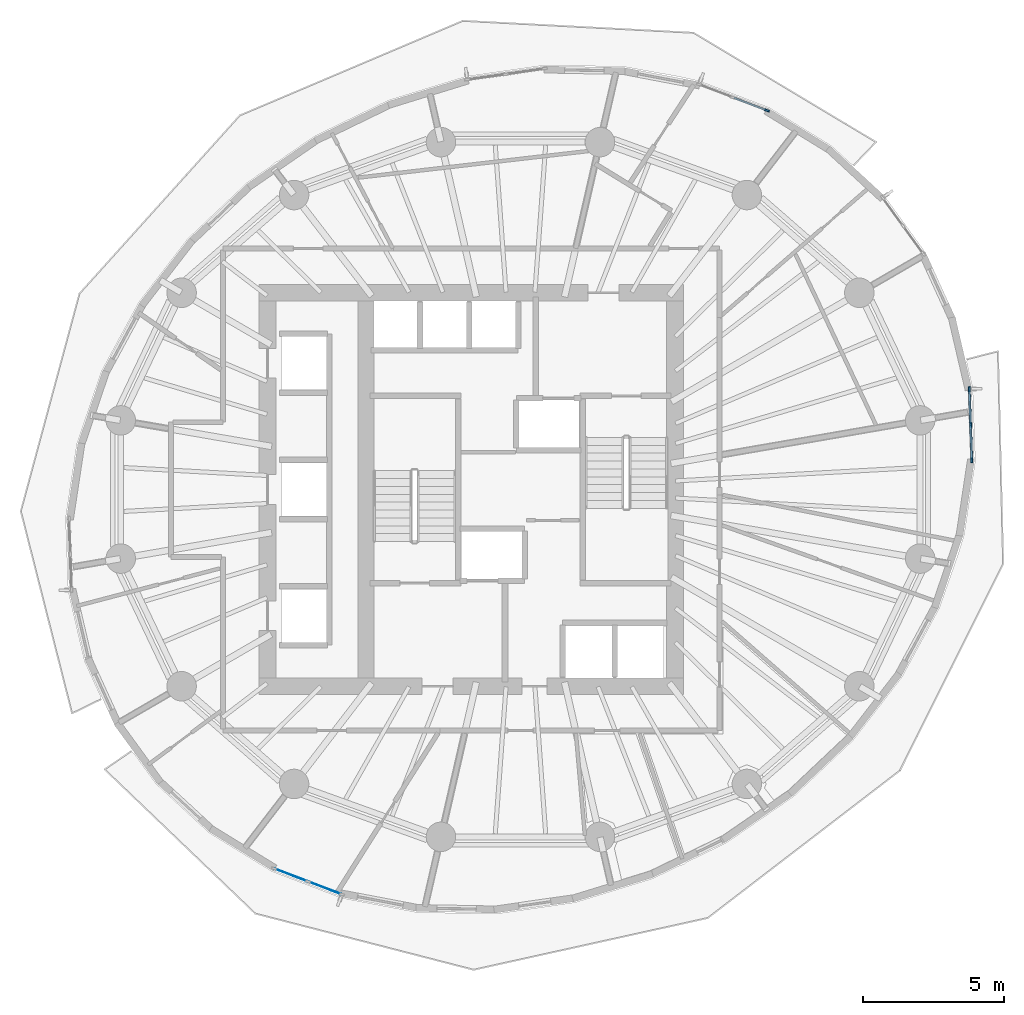
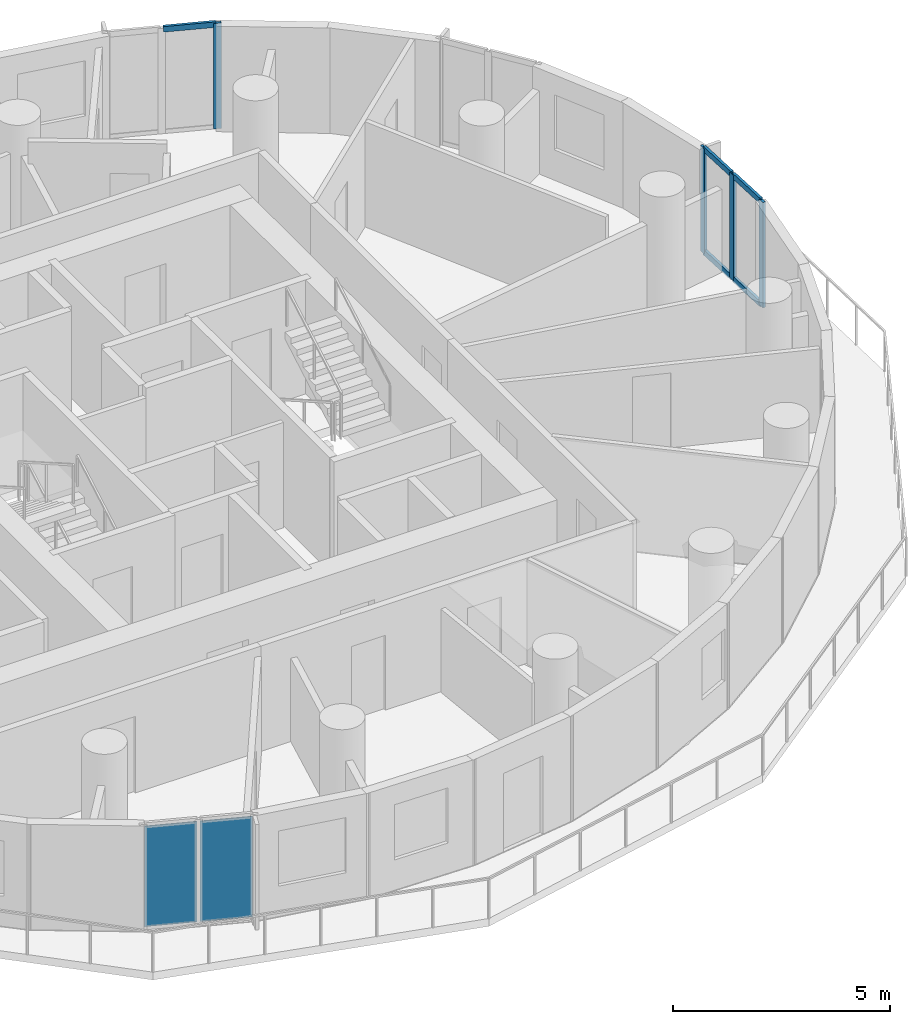
# One storey, part 4 of 14: 9 members, 2 plates, 3 elements without a shape of their own.
"""IFC4 building model written with IfcOpenShell, lengths in metres."""

from ifc_helpers import new_model, si_unit, direction, frame, origin, origin_2d, place, context, subcontext, project, spatial, rectangle, extrude, material, layer, layer_set, material_profile, profile_set, type_object, element, aggregate, save


model = new_model("IFC4")

# Units and contexts
model_context = context("Model", 3, precision=1e-05, world=origin(), true_north=direction((0.0, 1.0)))
body_context = subcontext(model_context, "Body", "Model", "MODEL_VIEW")
ifc_project = project(units=[si_unit("LENGTHUNIT", "METRE"), si_unit("AREAUNIT", "SQUARE_METRE"), si_unit("VOLUMEUNIT", "CUBIC_METRE"), si_unit("PLANEANGLEUNIT", "RADIAN"), si_unit("MASSUNIT", "GRAM", prefix="KILO")], contexts=[model_context])

# Site, building, storey
site_placement = place(None, origin())
site = spatial("IfcSite", under=ifc_project, at=site_placement, CompositionType="ELEMENT")
building_placement = place(site_placement, origin())
building = spatial("IfcBuilding", under=site, at=building_placement, Name="Veldorim Arch Residences", CompositionType="ELEMENT")
storey_placement = place(building_placement, frame((0.0, 0.0, 123.360107421875)))
storey = spatial("IfcBuildingStorey", under=building, at=storey_placement, Name="L36", CompositionType="ELEMENT", Elevation=123.360107421875)

# Curtain wall, member
ifc_material_1 = material(Name="Aluminium", Category="aluminium")
curtain_wall_type = type_object("IfcCurtainWallType", Name="Zone 3 High-Wind Unitised Curtain Wall", PredefinedType="NOTDEFINED", material=ifc_material_1)
curtain_wall_1_placement = place(storey_placement, origin())
curtain_wall_1 = element("IfcCurtainWall", 1, at=curtain_wall_1_placement, inside=storey, type_object=curtain_wall_type, Name="L36 unitised curtain wall bay 04", PredefinedType="NOTDEFINED")
ifc_material_2 = material(Name="Aluminium", Category="aluminium")
ifc_material_profile_1 = material_profile(ifc_material_2, rectangle(XDim=0.070068359375, YDim=0.179931640625, at=origin_2d()), Name="ALU_MUL_70x180")
ifc_profile_set_1 = profile_set([ifc_material_profile_1], Name="Aluminium")
member_type_1 = type_object("IfcMemberType", Name="Zone 3 High-Wind Unitised Curtain Wall Mullion 70x180", PredefinedType="MULLION", material=ifc_profile_set_1)
member_1_placement = place(storey_placement, frame((40.7734375, 37.484130859375, 0.0), z_axis=(0.0, 0.0, 1.0), x_axis=(0.356987085335, 0.934109319568, 0.0)))
member_1 = element("IfcMember", 2, at=member_1_placement, type_object=member_type_1, Name="CW-Z3 mullion 3", PredefinedType="MULLION", context=body_context, shape_type="SweptSolid", body=[
    extrude(rectangle(XDim=0.070068359375, YDim=0.179931640625, at=origin_2d()), origin(), (0.0, 0.0, 1.0), 2.9599609375),
])

# Curtain wall, members
curtain_wall_2_placement = place(storey_placement, origin())
curtain_wall_2 = element("IfcCurtainWall", 3, at=curtain_wall_2_placement, inside=storey, type_object=curtain_wall_type, Name="L36 unitised curtain wall bay 34", PredefinedType="NOTDEFINED")
member_2_placement = place(storey_placement, frame((47.9697265625, 27.57470703125, 0.0), z_axis=(0.0, 0.0, 1.0), x_axis=(0.999369736243, 0.035498313784, 0.0)))
member_2 = element("IfcMember", 4, at=member_2_placement, type_object=member_type_1, Name="CW-Z3 mullion 1", PredefinedType="MULLION", context=body_context, shape_type="SweptSolid", body=[
    extrude(rectangle(XDim=0.070068359375, YDim=0.179931640625, at=origin_2d()), origin(), (0.0, 0.0, 1.0), 2.9599609375),
])
member_3_placement = place(storey_placement, frame((48.014892578125, 26.30908203125, 0.0), z_axis=(0.0, 0.0, 1.0), x_axis=(0.999369736243, 0.035498313784, 0.0)))
member_3 = element("IfcMember", 5, at=member_3_placement, type_object=member_type_1, Name="CW-Z3 mullion 2", PredefinedType="MULLION", context=body_context, shape_type="SweptSolid", body=[
    extrude(rectangle(XDim=0.070068359375, YDim=0.179931640625, at=origin_2d()), origin(), (0.0, 0.0, 1.0), 2.9599609375),
])
member_4_placement = place(storey_placement, frame((48.059814453125, 25.04345703125, 0.0), z_axis=(0.0, 0.0, 1.0), x_axis=(0.999369736243, 0.035498313784, 0.0)))
member_4 = element("IfcMember", 6, at=member_4_placement, type_object=member_type_1, Name="CW-Z3 mullion 3", PredefinedType="MULLION", context=body_context, shape_type="SweptSolid", body=[
    extrude(rectangle(XDim=0.070068359375, YDim=0.179931640625, at=origin_2d()), origin(), (0.0, 0.0, 1.0), 2.9599609375),
])

# Member
ifc_material_3 = material(Name="Aluminium", Category="aluminium")
ifc_material_profile_2 = material_profile(ifc_material_3, rectangle(XDim=0.070068359375, YDim=0.155029296875, at=origin_2d()), Name="ALU_TRN_70x155")
ifc_profile_set_2 = profile_set([ifc_material_profile_2], Name="Aluminium")
member_type_2 = type_object("IfcMemberType", Name="Zone 3 High-Wind Unitised Curtain Wall Transom 70x155", PredefinedType="USERDEFINED", material=ifc_profile_set_2)
member_5_placement = place(storey_placement, frame((39.595703125, 37.934326171875, 2.9248046875), z_axis=(0.934067466256, -0.357096581449, 0.0), x_axis=(0.357096581449, 0.934067466256, 0.0)))
member_5 = element("IfcMember", 7, at=member_5_placement, type_object=member_type_2, Name="CW-Z3 transom 2.2", ObjectType="TRANSOM", PredefinedType="USERDEFINED", context=body_context, shape_type="SweptSolid", body=[
    extrude(rectangle(XDim=0.070068359375, YDim=0.155029296875, at=origin_2d()), origin(), (0.0, 0.0, 1.0), 1.225830078125),
])

aggregate(curtain_wall_1, [member_1, member_5])

member_6_placement = place(storey_placement, frame((47.97119140625, 27.539794921875, 0.034912109375), z_axis=(0.035502308986, -0.999369594323, 0.0), x_axis=(0.999369594323, 0.035502308986, 0.0)))
member_6 = element("IfcMember", 8, at=member_6_placement, type_object=member_type_2, Name="CW-Z3 transom 1.1", ObjectType="TRANSOM", PredefinedType="USERDEFINED", context=body_context, shape_type="SweptSolid", body=[
    extrude(rectangle(XDim=0.070068359375, YDim=0.155029296875, at=origin_2d()), origin(), (0.0, 0.0, 1.0), 1.196533203125),
])

member_7_placement = place(storey_placement, frame((47.97119140625, 27.539794921875, 2.9248046875), z_axis=(0.035502308986, -0.999369594323, 0.0), x_axis=(0.999369594323, 0.035502308986, 0.0)))
member_7 = element("IfcMember", 9, at=member_7_placement, type_object=member_type_2, Name="CW-Z3 transom 1.2", ObjectType="TRANSOM", PredefinedType="USERDEFINED", context=body_context, shape_type="SweptSolid", body=[
    extrude(rectangle(XDim=0.070068359375, YDim=0.155029296875, at=origin_2d()), origin(), (0.0, 0.0, 1.0), 1.196533203125),
])

member_8_placement = place(storey_placement, frame((48.01611328125, 26.274169921875, 0.034912109375), z_axis=(0.035502308986, -0.999369594323, 0.0), x_axis=(0.999369594323, 0.035502308986, 0.0)))
member_8 = element("IfcMember", 10, at=member_8_placement, type_object=member_type_2, Name="CW-Z3 transom 2.1", ObjectType="TRANSOM", PredefinedType="USERDEFINED", context=body_context, shape_type="SweptSolid", body=[
    extrude(rectangle(XDim=0.070068359375, YDim=0.155029296875, at=origin_2d()), origin(), (0.0, 0.0, 1.0), 1.196533203125),
])

member_9_placement = place(storey_placement, frame((48.01611328125, 26.274169921875, 2.9248046875), z_axis=(0.035502308986, -0.999369594323, 0.0), x_axis=(0.999369594323, 0.035502308986, 0.0)))
member_9 = element("IfcMember", 11, at=member_9_placement, type_object=member_type_2, Name="CW-Z3 transom 2.2", ObjectType="TRANSOM", PredefinedType="USERDEFINED", context=body_context, shape_type="SweptSolid", body=[
    extrude(rectangle(XDim=0.070068359375, YDim=0.155029296875, at=origin_2d()), origin(), (0.0, 0.0, 1.0), 1.196533203125),
])

aggregate(curtain_wall_2, [member_2, member_3, member_4, member_6, member_7, member_8, member_9])

# Curtain wall, plates
curtain_wall_3_placement = place(storey_placement, origin())
curtain_wall_3 = element("IfcCurtainWall", 12, at=curtain_wall_3_placement, inside=storey, type_object=curtain_wall_type, Name="L36 unitised curtain wall bay 22", PredefinedType="NOTDEFINED")
ifc_material_4 = material(Name="Laminated Low-E Glass", Category="glass")
ifc_layer = layer(ifc_material_4, 0.028076171875, Name="Zone 3 High-Wind Unitised Curtain Wall Glazing Panel 28")
ifc_layer_set = layer_set([ifc_layer], Name="Laminated Low-E Glass")
plate_type = type_object("IfcPlateType", Name="Zone 3 High-Wind Unitised Curtain Wall Glazing Panel 28", PredefinedType="CURTAIN_PANEL", material=ifc_layer_set)
plate_1_placement = place(storey_placement, frame((25.04248046875, 9.82177734375, 0.06982421875), z_axis=(0.0, 0.0, 1.0), x_axis=(-0.934109319568, 0.356987085335, 0.0)))
plate_1 = element("IfcPlate", 13, at=plate_1_placement, type_object=plate_type, Name="CW-Z3 panel 1.1", PredefinedType="CURTAIN_PANEL", context=body_context, shape_type="SweptSolid", body=[
    extrude(rectangle(XDim=1.22607421875, YDim=0.028076171875, at=origin_2d()), origin(), (0.0, 0.0, 1.0), 2.820068359375),
])
plate_2_placement = place(storey_placement, frame((23.831787109375, 10.284423828125, 0.06982421875), z_axis=(0.0, 0.0, 1.0), x_axis=(-0.934109319568, 0.356987085335, 0.0)))
plate_2 = element("IfcPlate", 14, at=plate_2_placement, type_object=plate_type, Name="CW-Z3 panel 2.1", PredefinedType="CURTAIN_PANEL", context=body_context, shape_type="SweptSolid", body=[
    extrude(rectangle(XDim=1.22607421875, YDim=0.028076171875, at=origin_2d()), origin(), (0.0, 0.0, 1.0), 2.820068359375),
])
aggregate(curtain_wall_3, [plate_1, plate_2])

save(model, "model.ifc")
